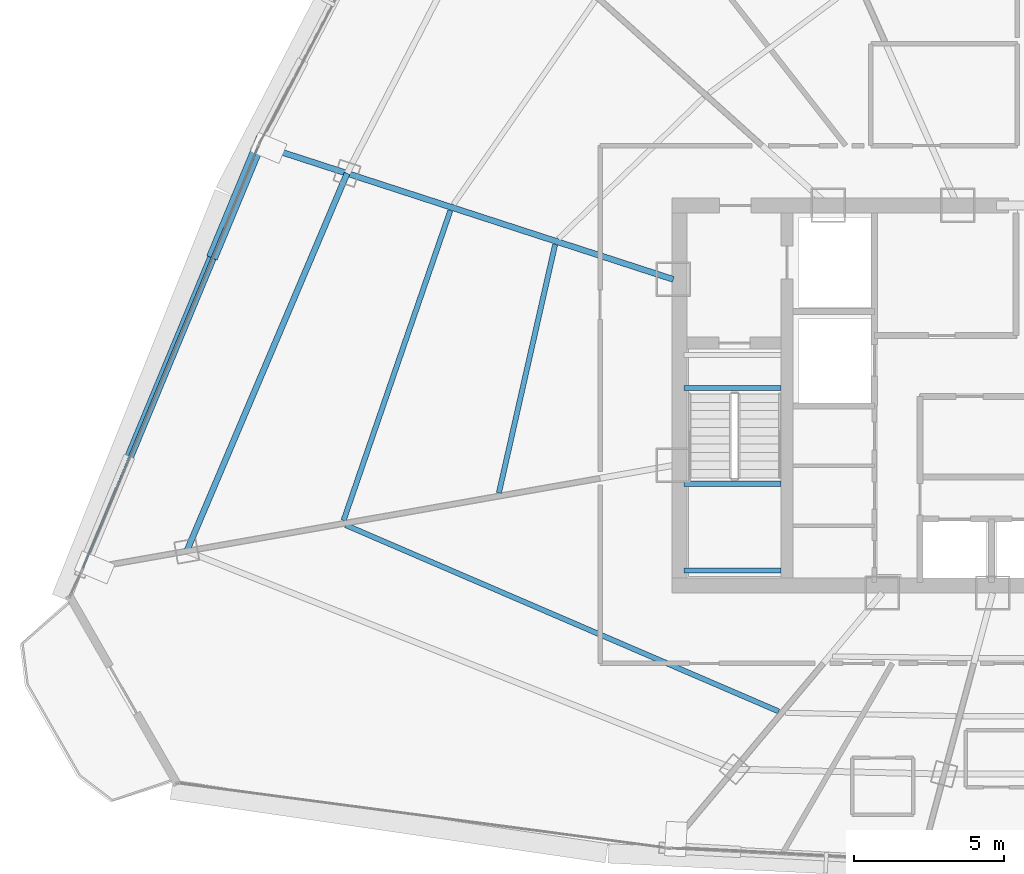
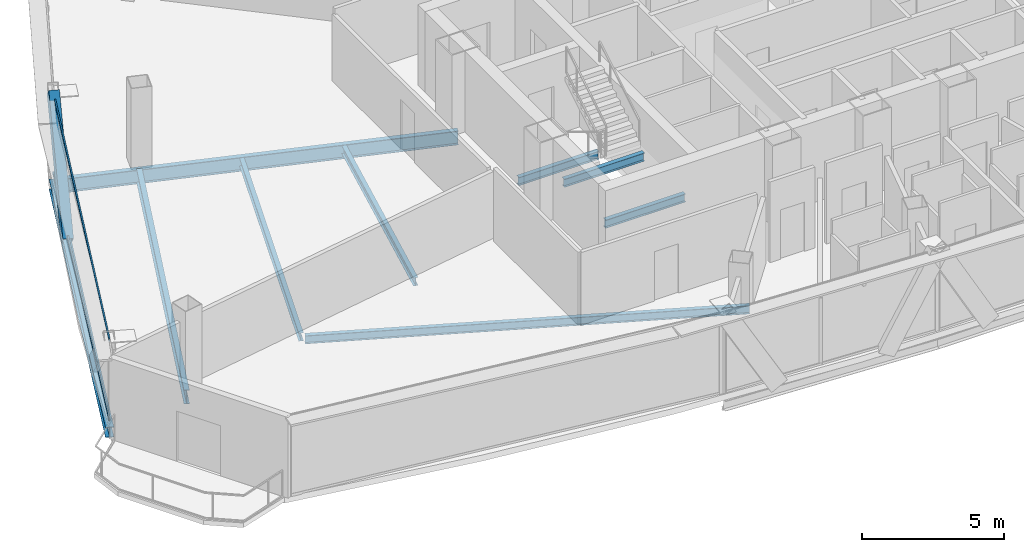
# One storey, part 8 of 39: 9 beams, 3 members, 1 element without a shape of its own.
"""IFC4 building model written with IfcOpenShell, lengths in metres."""

from ifc_helpers import new_model, si_unit, direction, frame, origin, origin_2d, place, context, subcontext, project, spatial, hollow_rectangle, i_section, extrude, source, transform, mapped, material, layer, layer_set, material_profile, profile_set, type_object, element, aggregate, save


model = new_model("IFC4")

# Units and contexts
model_context = context("Model", 3, precision=1e-05, world=origin(), true_north=direction((0.0, 1.0)))
body_context = subcontext(model_context, "Body", "Model", "MODEL_VIEW")
ifc_project = project(units=[si_unit("LENGTHUNIT", "METRE"), si_unit("AREAUNIT", "SQUARE_METRE"), si_unit("VOLUMEUNIT", "CUBIC_METRE"), si_unit("PLANEANGLEUNIT", "RADIAN"), si_unit("MASSUNIT", "GRAM", prefix="KILO"), si_unit("THERMODYNAMICTEMPERATUREUNIT", "KELVIN"), si_unit("POWERUNIT", "WATT")], contexts=[model_context])

# Site, building, storey
site_placement = place(None, origin())
site = spatial("IfcSite", under=ifc_project, at=site_placement, CompositionType="ELEMENT")
building_placement = place(site_placement, origin())
building = spatial("IfcBuilding", under=site, at=building_placement, Name="Yunzhuo Pagoda Commons", CompositionType="ELEMENT")
storey_placement = place(building_placement, frame((0.0, 0.0, 285.02001953125)))
storey = spatial("IfcBuildingStorey", under=building, at=storey_placement, Name="L71", CompositionType="ELEMENT", Elevation=285.02001953125)

# Beams
ifc_material_1 = material(Name="Structural steel Q355B", Category="steel")
ifc_material_profile_1 = material_profile(ifc_material_1, i_section(OverallWidth=0.175048828125, OverallDepth=0.35009765625, WebThickness=0.007080078125, FlangeThickness=0.010986328125, at=origin_2d()), Name="Structural steel Q355B")
ifc_profile_set_1 = profile_set([ifc_material_profile_1], Name="Structural steel Q355B")
beam_type_1 = type_object("IfcBeamType", Name="B-JS2 Joist HN 350x175x7x11", PredefinedType="JOIST", material=ifc_profile_set_1)
shared_shape_1 = source(origin(), body_context, "Body", "SweptSolid", [
    extrude(i_section(OverallWidth=0.175048828125, OverallDepth=0.35009765625, WebThickness=0.007080078125, FlangeThickness=0.010986328125, at=origin_2d()), origin(), (0.0, 0.0, 1.0), 3.25),
])
for number, where, z_axis, x_axis, name in (
    (1, (35.949951171875, 28.0, 1.489990234375), (1.0, 0.0, 0.0), (0.0, 1.0, 0.0), "L71 ST1 landing support beam 77A"),
    (2, (35.949951171875, 30.89990234375, 1.489990234375), (1.0, 0.0, 0.0), (0.0, 1.0, 0.0), "L71 ST1 landing support beam 77B"),
    (3, (35.949951171875, 34.10009765625, -0.374755859375), (1.0, 0.0, 0.0), (0.0, 1.0, 0.0), "L71 ST1 landing support beam 175A"),
):
    element("IfcBeam", number, at=place(storey_placement, frame(where, z_axis=z_axis, x_axis=x_axis)), inside=storey, type_object=beam_type_1, Name=name, PredefinedType="JOIST", context=body_context, shape_type="MappedRepresentation", body=[
        mapped(shared_shape_1, transform((0.0, 0.0, 0.0), scale=1.0)),
    ])
ifc_material_profile_2 = material_profile(ifc_material_1, i_section(OverallWidth=0.300048828125, OverallDepth=0.43994140625, WebThickness=0.010986328125, FlangeThickness=0.01806640625, at=origin_2d()), Name="Structural steel Q355B")
ifc_profile_set_2 = profile_set([ifc_material_profile_2], Name="Structural steel Q355B")
beam_type_2 = type_object("IfcBeamType", Name="B-SP2 Beam HM 440x300x11x18", PredefinedType="BEAM", material=ifc_profile_set_2)
shared_shape_2 = source(origin(), body_context, "Body", "SweptSolid", [
    extrude(i_section(OverallWidth=0.300048828125, OverallDepth=0.43994140625, WebThickness=0.010986328125, FlangeThickness=0.01806640625, at=origin_2d()), origin(), (0.0, 0.0, 1.0), 15.375244140625),
])
beam_1_placement = place(storey_placement, frame((21.751708984375, 42.228515625, -0.47998046875), z_axis=(-0.383838408303, -0.923400279571, 0.0), x_axis=(0.923400279571, -0.383838408303, 0.0)))
element("IfcBeam", 4, at=beam_1_placement, inside=storey, type_object=beam_type_2, Name="L71 facade edge spandrel beam F3.3", PredefinedType="BEAM", context=body_context, shape_type="MappedRepresentation", body=[
    mapped(shared_shape_2, transform((0.0, 0.0, 0.0), scale=1.0)),
])
ifc_material_profile_3 = material_profile(ifc_material_1, i_section(OverallWidth=0.199951171875, OverallDepth=0.60009765625, WebThickness=0.010986328125, FlangeThickness=0.01708984375, at=origin_2d()), Name="Structural steel Q355B")
ifc_profile_set_3 = profile_set([ifc_material_profile_3], Name="Structural steel Q355B")
beam_type_3 = type_object("IfcBeamType", Name="B-RG3 Beam HN 600x200x11x17", PredefinedType="BEAM", material=ifc_profile_set_3)
shared_shape_3 = source(origin(), body_context, "Body", "SweptSolid", [
    extrude(i_section(OverallWidth=0.199951171875, OverallDepth=0.60009765625, WebThickness=0.010986328125, FlangeThickness=0.01708984375, at=origin_2d()), origin(), (0.0, 0.0, 1.0), 14.406005859375),
])
beam_2_placement = place(storey_placement, frame((21.899169921875, 42.1806640625, -0.56005859375), z_axis=(0.951057355196, -0.309014412492, 0.0), x_axis=(0.309014412492, 0.951057355196, 0.0)))
element("IfcBeam", 5, at=beam_2_placement, inside=storey, type_object=beam_type_3, Name="L71 radial floor girder F3C3", PredefinedType="BEAM", context=body_context, shape_type="MappedRepresentation", body=[
    mapped(shared_shape_3, transform((0.0, 0.0, 0.0), scale=1.0)),
])
shared_shape_4 = source(origin(), body_context, "Body", "SweptSolid", [
    extrude(i_section(OverallWidth=0.199951171875, OverallDepth=0.60009765625, WebThickness=0.010986328125, FlangeThickness=0.01708984375, at=origin_2d()), origin(), (0.0, 0.0, 1.0), 13.715576171875),
])
beam_3_placement = place(storey_placement, frame((24.697509765625, 41.271484375, -0.56005859375), z_axis=(-0.390733146992, -0.920503996646, 0.0), x_axis=(0.920503996646, -0.390733146992, 0.0)))
element("IfcBeam", 6, at=beam_3_placement, inside=storey, type_object=beam_type_3, Name="L71 column-ring beam 11", PredefinedType="BEAM", context=body_context, shape_type="MappedRepresentation", body=[
    mapped(shared_shape_4, transform((0.0, 0.0, 0.0), scale=1.0)),
])
shared_shape_5 = source(origin(), body_context, "Body", "SweptSolid", [
    extrude(i_section(OverallWidth=0.175048828125, OverallDepth=0.35009765625, WebThickness=0.007080078125, FlangeThickness=0.010986328125, at=origin_2d()), origin(), (0.0, 0.0, 1.0), 8.508544921875),
])
beam_4_placement = place(storey_placement, frame((31.649658203125, 38.89208984375, -0.43505859375), z_axis=(-0.220769003385, -0.975326123481, 0.0), x_axis=(0.975326123481, -0.220769003385, 0.0)))
element("IfcBeam", 7, at=beam_4_placement, inside=storey, type_object=beam_type_1, Name="L71 composite ring joist 1.11", PredefinedType="JOIST", context=body_context, shape_type="MappedRepresentation", body=[
    mapped(shared_shape_5, transform((0.0, 0.0, 0.0), scale=1.0)),
])
shared_shape_6 = source(origin(), body_context, "Body", "SweptSolid", [
    extrude(i_section(OverallWidth=0.175048828125, OverallDepth=0.35009765625, WebThickness=0.007080078125, FlangeThickness=0.010986328125, at=origin_2d()), origin(), (0.0, 0.0, 1.0), 10.954345703125),
])
beam_5_placement = place(storey_placement, frame((28.14892578125, 40.029052734375, -0.43505859375), z_axis=(-0.325839571137, -0.945425075763, 0.0), x_axis=(0.945425075763, -0.325839571137, 0.0)))
element("IfcBeam", 8, at=beam_5_placement, inside=storey, type_object=beam_type_1, Name="L71 composite ring joist 2.11", PredefinedType="JOIST", context=body_context, shape_type="MappedRepresentation", body=[
    mapped(shared_shape_6, transform((0.0, 0.0, 0.0), scale=1.0)),
])
shared_shape_7 = source(origin(), body_context, "Body", "SweptSolid", [
    extrude(i_section(OverallWidth=0.175048828125, OverallDepth=0.35009765625, WebThickness=0.007080078125, FlangeThickness=0.010986328125, at=origin_2d()), origin(), (0.0, 0.0, 1.0), 15.757568359375),
])
beam_6_placement = place(storey_placement, frame((24.647705078125, 29.5185546875, -0.43505859375), z_axis=(0.918597596679, -0.395194199573, 0.0), x_axis=(0.395194199573, 0.918597596679, 0.0)))
element("IfcBeam", 9, at=beam_6_placement, inside=storey, type_object=beam_type_1, Name="L71 composite ring joist 2.12", PredefinedType="JOIST", context=body_context, shape_type="MappedRepresentation", body=[
    mapped(shared_shape_7, transform((0.0, 0.0, 0.0), scale=1.0)),
])

# Member
ifc_material_profile_4 = material_profile(ifc_material_1, hollow_rectangle(XDim=0.3798828125, YDim=0.719970703125, WallThickness=0.02001953125, at=origin_2d()), Name="Structural steel Q355B")
ifc_profile_set_4 = profile_set([ifc_material_profile_4], Name="Structural steel Q355B")
member_type_1 = type_object("IfcMemberType", Name="M-DL3 Brace BOX 720x380x20", PredefinedType="BRACE", material=ifc_profile_set_4)
shared_shape_8 = source(origin(), body_context, "Body", "SweptSolid", [
    extrude(hollow_rectangle(XDim=0.3798828125, YDim=0.719970703125, WallThickness=0.02001953125, at=origin_2d()), origin(), (0.0, 0.0, 1.0), 5.356201171875),
])
member_1_placement = place(storey_placement, frame((20.276123046875, 38.67919921875, -0.260009765625), z_axis=(0.275496588463, 0.662668663645, 0.696399218817), x_axis=(-0.923381054941, 0.383884653739, 0.0)))
element("IfcMember", 10, at=member_1_placement, inside=storey, type_object=member_type_1, Name="L71 facade diamond brace F3.3L", PredefinedType="BRACE", context=body_context, shape_type="MappedRepresentation", body=[
    mapped(shared_shape_8, transform((0.0, 0.0, 0.0), scale=1.0)),
])

# Curtain wall, members
ifc_material_2 = material(Name="Anodized aluminium 6063-T6", Category="aluminium")
ifc_layer = layer(ifc_material_2, 0.139892578125)
ifc_layer_set = layer_set([ifc_layer], Name="Anodized aluminium 6063-T6")
curtain_wall_type = type_object("IfcCurtainWallType", Name="CW-HI High-Zone Ribbon Curtain Wall", PredefinedType="NOTDEFINED", material=ifc_layer_set)
curtain_wall_placement = place(storey_placement, origin())
curtain_wall = element("IfcCurtainWall", 11, at=curtain_wall_placement, inside=storey, type_object=curtain_wall_type, Name="L71 curtain wall CW-L71-F3B4", PredefinedType="NOTDEFINED")
ifc_material_profile_5 = material_profile(ifc_material_2, hollow_rectangle(XDim=0.054931640625, YDim=0.1201171875, WallThickness=0.00341796875, at=origin_2d()), Name="Anodized aluminium 6063-T6")
ifc_profile_set_5 = profile_set([ifc_material_profile_5], Name="Anodized aluminium 6063-T6")
member_type_2 = type_object("IfcMemberType", Name="CW-HI-T Transom RHS 120x55x3.5", PredefinedType="USERDEFINED", material=ifc_profile_set_5)
shared_shape_9 = source(origin(), body_context, "Body", "SweptSolid", [
    extrude(hollow_rectangle(XDim=0.054931640625, YDim=0.1201171875, WallThickness=0.00341796875, at=origin_2d()), origin(), (0.0, 0.0, 1.0), 15.25537109375),
])
member_2_placement = place(storey_placement, frame((21.728759765625, 42.173095703125, 0.027587890625), z_axis=(-0.383861857229, -0.923390531988, 0.0), x_axis=(0.923390531988, -0.383861857229, 0.0)))
member_2 = element("IfcMember", 12, at=member_2_placement, type_object=member_type_2, Name="CW transom 1.1", ObjectType="TRANSOM", PredefinedType="USERDEFINED", context=body_context, shape_type="MappedRepresentation", body=[
    mapped(shared_shape_9, transform((0.0, 0.0, 0.0), scale=1.0)),
])
member_3_placement = place(storey_placement, frame((21.728759765625, 42.173095703125, 3.4423828125), z_axis=(-0.383861857229, -0.923390531988, 0.0), x_axis=(0.923390531988, -0.383861857229, 0.0)))
member_3 = element("IfcMember", 13, at=member_3_placement, type_object=member_type_2, Name="CW transom 1.2", ObjectType="TRANSOM", PredefinedType="USERDEFINED", context=body_context, shape_type="MappedRepresentation", body=[
    mapped(shared_shape_9, transform((0.0, 0.0, 0.0), scale=1.0)),
])
aggregate(curtain_wall, [member_2, member_3])

save(model, "model.ifc")
